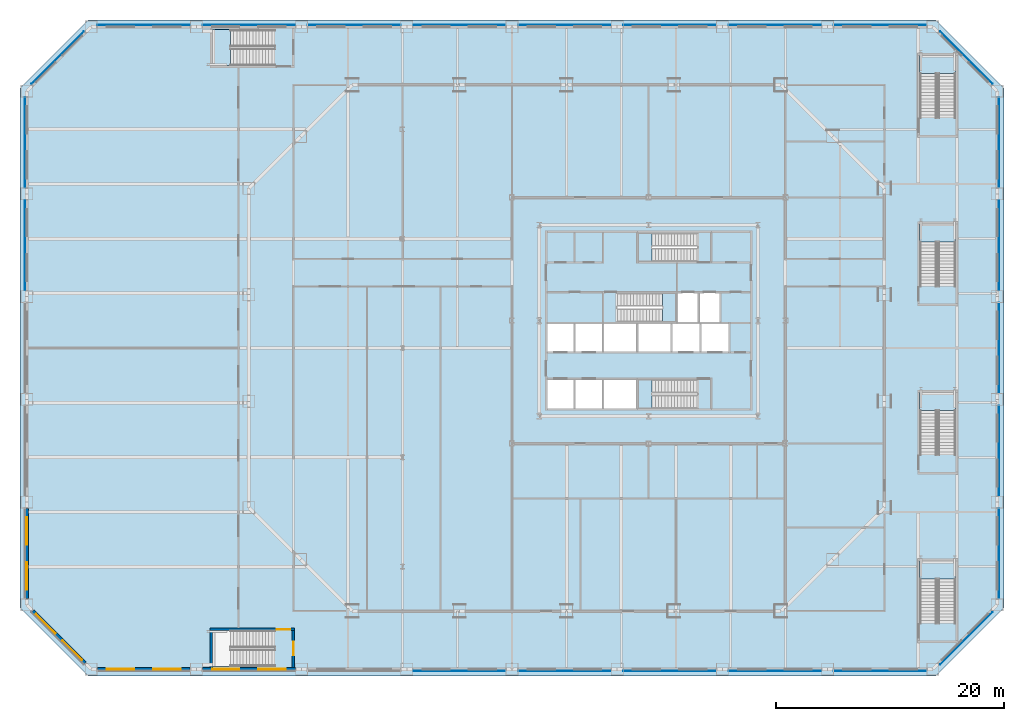
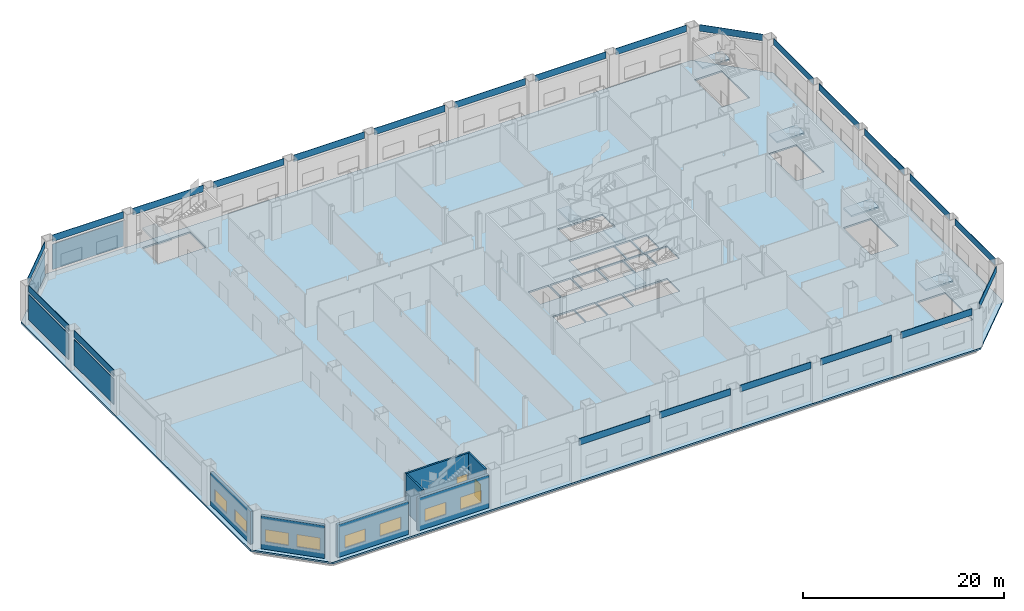
# One storey, part 11 of 26: 27 plates, 9 slabs, 8 windows, 7 walls, 2 doors, 10 openings, 8 elements without a shape of their own.
"""IFC4 building model written with IfcOpenShell, lengths in metres."""

from ifc_helpers import new_model, si_unit, direction, frame, frame_2d, origin, origin_2d, place, context, subcontext, project, spatial, polyline, rectangle, outline, extrude, material, layer, layer_set, type_object, element, fill, aggregate, save


model = new_model("IFC4")

# Units and contexts
model_context = context("Model", 3, precision=1e-05, world=origin(), true_north=direction((0.0, 1.0)))
body_context = subcontext(model_context, "Body", "Model", "MODEL_VIEW")
ifc_project = project(units=[si_unit("LENGTHUNIT", "METRE"), si_unit("AREAUNIT", "SQUARE_METRE"), si_unit("VOLUMEUNIT", "CUBIC_METRE"), si_unit("PLANEANGLEUNIT", "RADIAN"), si_unit("MASSUNIT", "GRAM", prefix="KILO")], contexts=[model_context])

# Site, building, storey
site_placement = place(None, origin())
site = spatial("IfcSite", under=ifc_project, at=site_placement, CompositionType="ELEMENT")
building_placement = place(site_placement, origin())
building = spatial("IfcBuilding", under=site, at=building_placement, Name="Cairn Pilgrim Tower", CompositionType="ELEMENT")
storey_placement = place(building_placement, frame((0.0, 0.0, 25.800048828125)))
storey = spatial("IfcBuildingStorey", under=building, at=storey_placement, Name="L04", CompositionType="ELEMENT", Elevation=25.800048828125)

# Plates
ifc_material_1 = material(Name="Bronze anodised aluminium", Category="aluminium")
ifc_layer_1 = layer(ifc_material_1, 0.050048828125)
ifc_layer_set_1 = layer_set([ifc_layer_1], Name="BRONZE FASCIA PANEL 50")
plate_type_1 = type_object("IfcPlateType", Name="BRONZE FASCIA PANEL 50", PredefinedType="SHEET", material=ifc_layer_set_1)
for number, where, z_axis, x_axis, name in (
    (1, (-9.4189453125, -28.375, 4.0), (0.0, 0.0, 1.0), (1.0, 0.0, 0.0), "FASCIA"),
    (2, (-0.18115234375, -28.375, 4.0), (0.0, 0.0, 1.0), (1.0, 0.0, 0.0), "FASCIA"),
    (3, (9.056884765625, -28.375, 4.0), (0.0, 0.0, 1.0), (1.0, 0.0, 0.0), "FASCIA"),
    (4, (18.294677734375, -28.375, 4.0), (0.0, 0.0, 1.0), (1.0, 0.0, 0.0), "FASCIA"),
    (5, (27.532470703125, -28.375, 4.0), (0.0, 0.0, 1.0), (1.0, 0.0, 0.0), "FASCIA"),
):
    element("IfcPlate", number, at=place(storey_placement, frame(where, z_axis=z_axis, x_axis=x_axis)), inside=storey, type_object=plate_type_1, Name=name, PredefinedType="SHEET", context=body_context, shape_type="SweptSolid", body=[
        extrude(rectangle(XDim=8.137939453125, YDim=0.050048828125, at=origin_2d()), origin(), (0.0, 0.0, 1.0), 0.800048828125),
    ])
plate_1_placement = place(storey_placement, frame((35.099609375, -25.49951171875, 4.0), z_axis=(0.0, 0.0, 1.0), x_axis=(0.707106781187, 0.707106781187, 0.0)))
element("IfcPlate", 6, at=plate_1_placement, inside=storey, type_object=plate_type_1, Name="FASCIA", PredefinedType="SHEET", context=body_context, shape_type="SweptSolid", body=[
    extrude(rectangle(XDim=6.50830078125, YDim=0.050048828125, at=origin_2d()), origin(), (0.0, 0.0, 1.0), 0.800048828125),
])
for number, where, z_axis, x_axis, name in (
    (7, (37.97509765625, -18.041259765625, 4.0), (0.0, 0.0, 1.0), (0.0, 1.0, 0.0), "FASCIA"),
    (8, (37.97509765625, -9.0205078125, 4.0), (0.0, 0.0, 1.0), (0.0, 1.0, 0.0), "FASCIA"),
    (9, (37.97509765625, 0.0, 4.0), (0.0, 0.0, 1.0), (0.0, 1.0, 0.0), "FASCIA"),
    (10, (37.97509765625, 9.0205078125, 4.0), (0.0, 0.0, 1.0), (0.0, 1.0, 0.0), "FASCIA"),
    (11, (37.97509765625, 18.041259765625, 4.0), (0.0, 0.0, 1.0), (0.0, 1.0, 0.0), "FASCIA"),
):
    element("IfcPlate", number, at=place(storey_placement, frame(where, z_axis=z_axis, x_axis=x_axis)), inside=storey, type_object=plate_type_1, Name=name, PredefinedType="SHEET", context=body_context, shape_type="SweptSolid", body=[
        extrude(rectangle(XDim=7.920654296875, YDim=0.050048828125, at=origin_2d()), origin(), (0.0, 0.0, 1.0), 0.800048828125),
    ])
plate_2_placement = place(storey_placement, frame((35.099609375, 25.49951171875, 4.0), z_axis=(0.0, 0.0, 1.0), x_axis=(-0.707106781187, 0.707106781187, 0.0)))
element("IfcPlate", 12, at=plate_2_placement, inside=storey, type_object=plate_type_1, Name="FASCIA", PredefinedType="SHEET", context=body_context, shape_type="SweptSolid", body=[
    extrude(rectangle(XDim=6.50830078125, YDim=0.050048828125, at=origin_2d()), origin(), (0.0, 0.0, 1.0), 0.800048828125),
])
for number, where, z_axis, x_axis, name in (
    (13, (27.532470703125, 28.375, 4.0), (0.0, 0.0, 1.0), (-1.0, 0.0, 0.0), "FASCIA"),
    (14, (18.294677734375, 28.375, 4.0), (0.0, 0.0, 1.0), (-1.0, 0.0, 0.0), "FASCIA"),
    (15, (9.056884765625, 28.375, 4.0), (0.0, 0.0, 1.0), (-1.0, 0.0, 0.0), "FASCIA"),
    (16, (-0.18115234375, 28.375, 4.0), (0.0, 0.0, 1.0), (-1.0, 0.0, 0.0), "FASCIA"),
    (17, (-9.4189453125, 28.375, 4.0), (0.0, 0.0, 1.0), (-1.0, 0.0, 0.0), "FASCIA"),
    (18, (-18.65673828125, 28.375, 4.0), (0.0, 0.0, 1.0), (-1.0, 0.0, 0.0), "FASCIA"),
    (19, (-27.894775390625, 28.375, 4.0), (0.0, 0.0, 1.0), (-1.0, 0.0, 0.0), "FASCIA"),
    (20, (-37.132568359375, 28.375, 4.0), (0.0, 0.0, 1.0), (-1.0, 0.0, 0.0), "FASCIA"),
):
    element("IfcPlate", number, at=place(storey_placement, frame(where, z_axis=z_axis, x_axis=x_axis)), inside=storey, type_object=plate_type_1, Name=name, PredefinedType="SHEET", context=body_context, shape_type="SweptSolid", body=[
        extrude(rectangle(XDim=8.137939453125, YDim=0.050048828125, at=origin_2d()), origin(), (0.0, 0.0, 1.0), 0.800048828125),
    ])
plate_3_placement = place(storey_placement, frame((-44.699462890625, 25.49951171875, 4.0), z_axis=(0.0, 0.0, 1.0), x_axis=(-0.707106781187, -0.707106781187, 0.0)))
element("IfcPlate", 21, at=plate_3_placement, inside=storey, type_object=plate_type_1, Name="FASCIA", PredefinedType="SHEET", context=body_context, shape_type="SweptSolid", body=[
    extrude(rectangle(XDim=6.50830078125, YDim=0.050048828125, at=origin_2d()), origin(), (0.0, 0.0, 1.0), 0.800048828125),
])
for number, where, z_axis, x_axis, name in (
    (22, (-47.574951171875, 18.041259765625, 4.0), (0.0, 0.0, 1.0), (0.0, -1.0, 0.0), "FASCIA"),
    (23, (-47.574951171875, 9.0205078125, 4.0), (0.0, 0.0, 1.0), (0.0, -1.0, 0.0), "FASCIA"),
):
    element("IfcPlate", number, at=place(storey_placement, frame(where, z_axis=z_axis, x_axis=x_axis)), inside=storey, type_object=plate_type_1, Name=name, PredefinedType="SHEET", context=body_context, shape_type="SweptSolid", body=[
        extrude(rectangle(XDim=7.920654296875, YDim=0.050048828125, at=origin_2d()), origin(), (0.0, 0.0, 1.0), 0.800048828125),
    ])
ifc_material_2 = material(Name="Perforated bronze anodised aluminium", Category="aluminium")
ifc_layer_2 = layer(ifc_material_2, 0.050048828125)
ifc_layer_set_2 = layer_set([ifc_layer_2], Name="COBOGO SCREEN 50 BRONZE")
plate_type_2 = type_object("IfcPlateType", Name="COBOGO SCREEN 50 BRONZE", PredefinedType="SHEET", material=ifc_layer_set_2)
plate_4_placement = place(storey_placement, frame((-37.132568359375, 28.375, 0.599853515625), z_axis=(0.0, 0.0, 1.0), x_axis=(-1.0, 0.0, 0.0)))
element("IfcPlate", 24, at=plate_4_placement, inside=storey, type_object=plate_type_2, Name="SCREEN", PredefinedType="SHEET", context=body_context, shape_type="SweptSolid", body=[
    extrude(rectangle(XDim=8.137939453125, YDim=0.050048828125, at=origin_2d()), origin(), (0.0, 0.0, 1.0), 3.10009765625),
])
plate_5_placement = place(storey_placement, frame((-44.699462890625, 25.49951171875, 0.599853515625), z_axis=(0.0, 0.0, 1.0), x_axis=(-0.707106781187, -0.707106781187, 0.0)))
element("IfcPlate", 25, at=plate_5_placement, inside=storey, type_object=plate_type_2, Name="SCREEN", PredefinedType="SHEET", context=body_context, shape_type="SweptSolid", body=[
    extrude(rectangle(XDim=6.50830078125, YDim=0.050048828125, at=origin_2d()), origin(), (0.0, 0.0, 1.0), 3.10009765625),
])
for number, where, z_axis, x_axis, name in (
    (26, (-47.574951171875, 18.041259765625, 0.599853515625), (0.0, 0.0, 1.0), (0.0, -1.0, 0.0), "SCREEN"),
    (27, (-47.574951171875, 9.0205078125, 0.599853515625), (0.0, 0.0, 1.0), (0.0, -1.0, 0.0), "SCREEN"),
):
    element("IfcPlate", number, at=place(storey_placement, frame(where, z_axis=z_axis, x_axis=x_axis)), inside=storey, type_object=plate_type_2, Name=name, PredefinedType="SHEET", context=body_context, shape_type="SweptSolid", body=[
        extrude(rectangle(XDim=7.920654296875, YDim=0.050048828125, at=origin_2d()), origin(), (0.0, 0.0, 1.0), 3.10009765625),
    ])

# Slab
ifc_material_3 = material(Name="Concrete C35/45", Category="concrete")
ifc_layer_3 = layer(ifc_material_3, 0.199951171875)
ifc_layer_set_3 = layer_set([ifc_layer_3], Name="PODIUM COMPOSITE SLAB 200")
slab_type_1 = type_object("IfcSlabType", Name="PODIUM COMPOSITE SLAB 200", PredefinedType="FLOOR", material=ifc_layer_set_3)
slab_1_placement = place(storey_placement, frame((0.0, 0.0, -0.199951171875)))
element("IfcSlab", 28, at=slab_1_placement, inside=storey, type_object=slab_type_1, Name="PODIUM FLOOR SLAB L04", PredefinedType="FLOOR", context=body_context, shape_type="SweptSolid", body=[
    extrude(outline(polyline([(-42.0, 28.800048828125), (-48.0, 22.800048828125), (-48.0, -22.800048828125), (-42.0, -28.800048828125), (32.39990234375, -28.800048828125), (38.39990234375, -22.800048828125), (38.39990234375, 22.800048828125), (32.39990234375, 28.800048828125), (-42.0, 28.800048828125)]), holes=[polyline([(-1.72509765625, -2.77490234375), (0.625, -2.77490234375), (0.625, -5.300048828125), (-1.72509765625, -5.300048828125), (-1.72509765625, -2.77490234375)]), polyline([(3.125, -2.77490234375), (3.125, -5.300048828125), (0.77490234375, -5.300048828125), (0.77490234375, -2.77490234375), (3.125, -2.77490234375)]), polyline([(0.625, -0.324951171875), (-1.72509765625, -0.324951171875), (-1.72509765625, 2.125), (0.625, 2.125), (0.625, -0.324951171875)]), polyline([(0.77490234375, -0.324951171875), (0.77490234375, 2.125), (3.125, 2.125), (3.125, -0.324951171875), (0.77490234375, -0.324951171875)]), polyline([(3.27490234375, -2.77490234375), (6.125, -2.77490234375), (6.125, -5.300048828125), (3.27490234375, -5.300048828125), (3.27490234375, -2.77490234375)]), polyline([(6.125, 2.125), (6.125, -0.324951171875), (3.27490234375, -0.324951171875), (3.27490234375, 2.125), (6.125, 2.125)]), polyline([(9.125, -0.324951171875), (6.27490234375, -0.324951171875), (6.27490234375, 2.125), (9.125, 2.125), (9.125, -0.324951171875)]), polyline([(9.27490234375, -0.324951171875), (9.27490234375, 2.125), (11.675048828125, 2.125), (11.675048828125, -0.324951171875), (9.27490234375, -0.324951171875)]), polyline([(11.824951171875, 2.125), (14.22509765625, 2.125), (14.22509765625, -0.324951171875), (11.824951171875, -0.324951171875), (11.824951171875, 2.125)]), polyline([(11.52490234375, 4.824951171875), (11.52490234375, 2.27490234375), (9.77490234375, 2.27490234375), (9.77490234375, 4.824951171875), (11.52490234375, 4.824951171875)]), polyline([(13.425048828125, 2.27490234375), (11.675048828125, 2.27490234375), (11.675048828125, 4.824951171875), (13.425048828125, 4.824951171875), (13.425048828125, 2.27490234375)]), polyline([(11.424560546875, -2.77490234375), (11.424560546875, -5.300048828125), (6.27490234375, -5.300048828125), (6.27490234375, -2.77490234375), (11.424560546875, -2.77490234375)]), polyline([(4.4755859375, 4.824951171875), (9.625, 4.824951171875), (9.625, 2.27490234375), (4.4755859375, 2.27490234375), (4.4755859375, 4.824951171875)]), polyline([(6.27490234375, 7.574951171875), (6.27490234375, 10.10009765625), (11.424560546875, 10.10009765625), (11.424560546875, 7.574951171875), (6.27490234375, 7.574951171875)]), polyline([(-31.10009765625, 27.949951171875), (-25.650390625, 27.949951171875), (-25.650390625, 24.800048828125), (-31.10009765625, 24.800048828125), (-31.10009765625, 27.949951171875)]), polyline([(-25.650390625, -24.800048828125), (-25.650390625, -27.949951171875), (-31.10009765625, -27.949951171875), (-31.10009765625, -24.800048828125), (-25.650390625, -24.800048828125)]), polyline([(31.0, -24.1494140625), (31.0, -18.699951171875), (34.14990234375, -18.699951171875), (34.14990234375, -24.1494140625), (31.0, -24.1494140625)]), polyline([(31.0, -3.89990234375), (34.14990234375, -3.89990234375), (34.14990234375, -9.349609375), (31.0, -9.349609375), (31.0, -3.89990234375)]), polyline([(34.14990234375, 10.89990234375), (34.14990234375, 5.450439453125), (31.0, 5.450439453125), (31.0, 10.89990234375), (34.14990234375, 10.89990234375)]), polyline([(34.14990234375, 20.25048828125), (31.0, 20.25048828125), (31.0, 25.699951171875), (34.14990234375, 25.699951171875), (34.14990234375, 20.25048828125)])]), origin(), (0.0, 0.0, 1.0), 0.199951171875),
])

# Stair, slab
stair_type_1 = type_object("IfcStairType", Name="PODIUM EXIT STAIR 1500", PredefinedType="HALF_TURN_STAIR", material=ifc_material_3)
stair_1_placement = place(storey_placement, origin())
stair_1 = element("IfcStair", 29, at=stair_1_placement, inside=storey, type_object=stair_type_1, Name="L04 Exit Stair Hn", PredefinedType="HALF_TURN_STAIR")
ifc_layer_4 = layer(ifc_material_3, 0.199951171875)
ifc_layer_set_4 = layer_set([ifc_layer_4], Name="PODIUM STAIR LANDING 200")
slab_type_2 = type_object("IfcSlabType", Name="PODIUM STAIR LANDING 200", PredefinedType="LANDING", material=ifc_layer_set_4)
slab_2_placement = place(storey_placement, frame((0.0, 0.0, 2.199951171875)))
slab_2 = element("IfcSlab", 30, at=slab_2_placement, type_object=slab_type_2, Name="ST-HN landing 1", PredefinedType="LANDING", context=body_context, shape_type="SweptSolid", body=[
    extrude(outline(polyline([(-29.52001953125, 27.949951171875), (-31.10009765625, 27.949951171875), (-31.10009765625, 24.800048828125), (-29.52001953125, 24.800048828125), (-29.52001953125, 27.949951171875)])), origin(), (0.0, 0.0, 1.0), 0.199951171875),
])
aggregate(stair_1, [slab_2])

stair_2_placement = place(storey_placement, origin())
stair_2 = element("IfcStair", 31, at=stair_2_placement, inside=storey, type_object=stair_type_1, Name="L04 Exit Stair Es1", PredefinedType="HALF_TURN_STAIR")
slab_3_placement = place(storey_placement, frame((0.0, 0.0, 2.199951171875)))
slab_3 = element("IfcSlab", 32, at=slab_3_placement, type_object=slab_type_2, Name="ST-ES1 landing 1", PredefinedType="LANDING", context=body_context, shape_type="SweptSolid", body=[
    extrude(outline(polyline([(34.14990234375, -20.280029296875), (34.14990234375, -18.699951171875), (31.0, -18.699951171875), (31.0, -20.280029296875), (34.14990234375, -20.280029296875)])), origin(), (0.0, 0.0, 1.0), 0.199951171875),
])
aggregate(stair_2, [slab_3])

stair_3_placement = place(storey_placement, origin())
stair_3 = element("IfcStair", 33, at=stair_3_placement, inside=storey, type_object=stair_type_1, Name="L04 Exit Stair Es2", PredefinedType="HALF_TURN_STAIR")
slab_4_placement = place(storey_placement, frame((0.0, 0.0, 2.199951171875)))
slab_4 = element("IfcSlab", 34, at=slab_4_placement, type_object=slab_type_2, Name="ST-ES2 landing 1", PredefinedType="LANDING", context=body_context, shape_type="SweptSolid", body=[
    extrude(outline(polyline([(34.14990234375, -5.47998046875), (34.14990234375, -3.89990234375), (31.0, -3.89990234375), (31.0, -5.47998046875), (34.14990234375, -5.47998046875)])), origin(), (0.0, 0.0, 1.0), 0.199951171875),
])
aggregate(stair_3, [slab_4])

stair_4_placement = place(storey_placement, origin())
stair_4 = element("IfcStair", 35, at=stair_4_placement, inside=storey, type_object=stair_type_1, Name="L04 Exit Stair Es3", PredefinedType="HALF_TURN_STAIR")
slab_5_placement = place(storey_placement, frame((0.0, 0.0, 2.199951171875)))
slab_5 = element("IfcSlab", 36, at=slab_5_placement, type_object=slab_type_2, Name="ST-ES3 landing 1", PredefinedType="LANDING", context=body_context, shape_type="SweptSolid", body=[
    extrude(outline(polyline([(34.14990234375, 9.320068359375), (34.14990234375, 10.89990234375), (31.0, 10.89990234375), (31.0, 9.320068359375), (34.14990234375, 9.320068359375)])), origin(), (0.0, 0.0, 1.0), 0.199951171875),
])
aggregate(stair_4, [slab_5])

stair_5_placement = place(storey_placement, origin())
stair_5 = element("IfcStair", 37, at=stair_5_placement, inside=storey, type_object=stair_type_1, Name="L04 Exit Stair Es4", PredefinedType="HALF_TURN_STAIR")
slab_6_placement = place(storey_placement, frame((0.0, 0.0, 2.199951171875)))
slab_6 = element("IfcSlab", 38, at=slab_6_placement, type_object=slab_type_2, Name="ST-ES4 landing 1", PredefinedType="LANDING", context=body_context, shape_type="SweptSolid", body=[
    extrude(outline(polyline([(34.14990234375, 24.1201171875), (34.14990234375, 25.699951171875), (31.0, 25.699951171875), (31.0, 24.1201171875), (34.14990234375, 24.1201171875)])), origin(), (0.0, 0.0, 1.0), 0.199951171875),
])
aggregate(stair_5, [slab_6])

ifc_material_4 = material(Name="Concrete C32/40", Category="concrete")
stair_type_2 = type_object("IfcStairType", Name="EXIT STAIR 1200", PredefinedType="HALF_TURN_STAIR", material=ifc_material_4)
stair_6_placement = place(storey_placement, origin())
stair_6 = element("IfcStair", 39, at=stair_6_placement, inside=storey, type_object=stair_type_2, Name="L04 Exit Stair A", PredefinedType="HALF_TURN_STAIR")
ifc_layer_5 = layer(ifc_material_4, 0.199951171875)
ifc_layer_set_5 = layer_set([ifc_layer_5], Name="STAIR LANDING 200")
slab_type_3 = type_object("IfcSlabType", Name="STAIR LANDING 200", PredefinedType="LANDING", material=ifc_layer_set_5)
slab_7_placement = place(storey_placement, frame((0.0, 0.0, 2.199951171875)))
slab_7 = element("IfcSlab", 40, at=slab_7_placement, type_object=slab_type_3, Name="ST-A landing 1", PredefinedType="LANDING", context=body_context, shape_type="SweptSolid", body=[
    extrude(outline(polyline([(7.5048828125, -2.77490234375), (6.27490234375, -2.77490234375), (6.27490234375, -5.300048828125), (7.5048828125, -5.300048828125), (7.5048828125, -2.77490234375)])), origin(), (0.0, 0.0, 1.0), 0.199951171875),
])
aggregate(stair_6, [slab_7])

stair_7_placement = place(storey_placement, origin())
stair_7 = element("IfcStair", 41, at=stair_7_placement, inside=storey, type_object=stair_type_2, Name="L04 Exit Stair B", PredefinedType="HALF_TURN_STAIR")
slab_8_placement = place(storey_placement, frame((0.0, 0.0, 2.199951171875)))
slab_8 = element("IfcSlab", 42, at=slab_8_placement, type_object=slab_type_3, Name="ST-B landing 1", PredefinedType="LANDING", context=body_context, shape_type="SweptSolid", body=[
    extrude(outline(polyline([(8.39501953125, 2.27490234375), (9.625, 2.27490234375), (9.625, 4.824951171875), (8.39501953125, 4.824951171875), (8.39501953125, 2.27490234375)])), origin(), (0.0, 0.0, 1.0), 0.199951171875),
])
aggregate(stair_7, [slab_8])

stair_8_placement = place(storey_placement, origin())
stair_8 = element("IfcStair", 43, at=stair_8_placement, inside=storey, type_object=stair_type_2, Name="L04 Exit Stair C", PredefinedType="HALF_TURN_STAIR")
slab_9_placement = place(storey_placement, frame((0.0, 0.0, 2.199951171875)))
slab_9 = element("IfcSlab", 44, at=slab_9_placement, type_object=slab_type_3, Name="ST-C landing 1", PredefinedType="LANDING", context=body_context, shape_type="SweptSolid", body=[
    extrude(outline(polyline([(7.5048828125, 10.10009765625), (6.27490234375, 10.10009765625), (6.27490234375, 7.574951171875), (7.5048828125, 7.574951171875), (7.5048828125, 10.10009765625)])), origin(), (0.0, 0.0, 1.0), 0.199951171875),
])
aggregate(stair_8, [slab_9])

# Wall
ifc_layer_6 = layer(ifc_material_3, 0.199951171875)
ifc_layer_set_6 = layer_set([ifc_layer_6], Name="PODIUM STAIR WALL 200 EI 120")
wall_type_1 = type_object("IfcWallType", Name="PODIUM STAIR WALL 200 EI 120", PredefinedType="SOLIDWALL", material=ifc_layer_set_6)
wall_1_placement = place(storey_placement, frame((-31.199951171875, -28.050048828125, 0.0), z_axis=(0.0, 0.0, 1.0), x_axis=(0.0, 1.0, 0.0)))
element("IfcWall", 45, at=wall_1_placement, inside=storey, type_object=wall_type_1, Name="STAIR SHAFT WALL W001", PredefinedType="SOLIDWALL", context=body_context, shape_type="SweptSolid", body=[
    extrude(rectangle(XDim=3.25, YDim=0.199951171875, at=frame_2d((1.625, 0.0))), origin(), (0.0, 0.0, 1.0), 4.599853515625),
])

# Wall, opening, door
wall_2_placement = place(storey_placement, frame((-24.0, -28.050048828125, 0.0), z_axis=(0.0, 0.0, 1.0), x_axis=(0.0, 1.0, 0.0)))
wall_2 = element("IfcWall", 46, at=wall_2_placement, inside=storey, type_object=wall_type_1, Name="STAIR SHAFT WALL W002", PredefinedType="SOLIDWALL", context=body_context, shape_type="SweptSolid", body=[
    extrude(rectangle(XDim=3.25, YDim=0.199951171875, at=frame_2d((1.625, 0.0))), origin(), (0.0, 0.0, 1.0), 4.599853515625),
])
opening_1_placement = place(wall_2_placement, frame((1.050048828125, 0.0, 0.0)))
opening_1 = element("IfcOpeningElement", 47, at=opening_1_placement, cuts=wall_2, Name="Opening 0423", PredefinedType="OPENING", context=body_context, shape_type="SweptSolid", body=[
    extrude(rectangle(XDim=1.199951171875, YDim=2.10009765625, at=frame_2d((0.60009765625, 1.050048828125))), frame((0.0, 0.10986328125, 0.0), z_axis=(0.0, -1.0, 0.0), x_axis=(1.0, 0.0, 0.0)), (0.0, 0.0, 1.0), 0.219970703125),
])
ifc_material_5 = material(Name="Steel-faced fire door leaf", Category="steel")
door_type = type_object("IfcDoorType", Name="FIRE DOOR 1200x2100 FD60S", OperationType="NOTDEFINED", PredefinedType="DOOR", material=ifc_material_5)
door_1_placement = place(opening_1_placement, origin())
door_1 = element("IfcDoor", 48, at=door_1_placement, inside=storey, type_object=door_type, Name="DOOR 0423", OperationType="SINGLE_SWING_LEFT", OverallHeight=2.10009765625, OverallWidth=1.199951171875, PredefinedType="DOOR", context=body_context, shape_type="SweptSolid", body=[
    extrude(rectangle(XDim=1.199951171875, YDim=2.10009765625, at=frame_2d((0.60009765625, 1.050048828125))), frame((0.0, 0.02490234375, 0.0), z_axis=(0.0, -1.0, 0.0), x_axis=(1.0, 0.0, 0.0)), (0.0, 0.0, 1.0), 0.050048828125),
])
fill(opening_1, door_1)

wall_3_placement = place(storey_placement, frame((-31.300048828125, -24.699951171875, 0.0), z_axis=(0.0, 0.0, 1.0), x_axis=(1.0, 0.0, 0.0)))
wall_3 = element("IfcWall", 49, at=wall_3_placement, inside=storey, type_object=wall_type_1, Name="STAIR SHAFT WALL W006", PredefinedType="SOLIDWALL", context=body_context, shape_type="SweptSolid", body=[
    extrude(rectangle(XDim=7.400146484375, YDim=0.199951171875, at=frame_2d((3.7001953125, 0.0))), origin(), (0.0, 0.0, 1.0), 4.599853515625),
])
opening_2_placement = place(wall_3_placement, frame((5.85009765625, 0.0, 0.0)))
opening_2 = element("IfcOpeningElement", 50, at=opening_2_placement, cuts=wall_3, Name="Opening 0422", PredefinedType="OPENING", context=body_context, shape_type="SweptSolid", body=[
    extrude(rectangle(XDim=1.199951171875, YDim=2.10009765625, at=frame_2d((0.60009765625, 1.050048828125))), frame((0.0, 0.10986328125, 0.0), z_axis=(0.0, -1.0, 0.0), x_axis=(1.0, 0.0, 0.0)), (0.0, 0.0, 1.0), 0.219970703125),
])
door_2_placement = place(opening_2_placement, frame((1.199951171875, 0.0, 0.0), z_axis=(0.0, 0.0, 1.0), x_axis=(-1.0, 0.0, 0.0)))
door_2 = element("IfcDoor", 51, at=door_2_placement, inside=storey, type_object=door_type, Name="DOOR 0422", OperationType="SINGLE_SWING_RIGHT", OverallHeight=2.10009765625, OverallWidth=1.199951171875, PredefinedType="DOOR", context=body_context, shape_type="SweptSolid", body=[
    extrude(rectangle(XDim=1.199951171875, YDim=2.10009765625, at=frame_2d((0.60009765625, 1.050048828125))), frame((0.0, 0.02490234375, 0.0), z_axis=(0.0, -1.0, 0.0), x_axis=(1.0, 0.0, 0.0)), (0.0, 0.0, 1.0), 0.050048828125),
])
fill(opening_2, door_2)

# Wall, openings, windows
ifc_material_6 = material(Name="Concrete C35/45 backup wall with bronze aluminium cladding", Category="concrete")
ifc_layer_7 = layer(ifc_material_6, 0.300048828125)
ifc_layer_set_7 = layer_set([ifc_layer_7], Name="PODIUM WALL 300 BRONZE-CLAD")
wall_type_2 = type_object("IfcWallType", Name="PODIUM WALL 300 BRONZE-CLAD", PredefinedType="SOLIDWALL", material=ifc_layer_set_7)
wall_4_placement = place(storey_placement, frame((-41.201416015625, -28.199951171875, 0.0), z_axis=(0.0, 0.0, 1.0), x_axis=(1.0, 0.0, 0.0)))
wall_4 = element("IfcWall", 52, at=wall_4_placement, inside=storey, type_object=wall_type_2, Name="PODIUM EXTERNAL WALL S1-S2", PredefinedType="SOLIDWALL", context=body_context, shape_type="SweptSolid", body=[
    extrude(rectangle(XDim=8.1376953125, YDim=0.300048828125, at=frame_2d((4.06884765625, 0.0))), origin(), (0.0, 0.0, 1.0), 4.0),
])
opening_3_placement = place(wall_4_placement, frame((0.83447265625, 0.0, 0.89990234375)))
opening_3 = element("IfcOpeningElement", 53, at=opening_3_placement, cuts=wall_4, Name="Opening PW15", PredefinedType="OPENING", context=body_context, shape_type="SweptSolid", body=[
    extrude(rectangle(XDim=2.39990234375, YDim=1.5, at=frame_2d((1.199951171875, 0.75))), frame((0.0, 0.16015625, 0.0), z_axis=(0.0, -1.0, 0.0), x_axis=(1.0, 0.0, 0.0)), (0.0, 0.0, 1.0), 0.320068359375),
])
opening_4_placement = place(wall_4_placement, frame((4.9033203125, 0.0, 0.89990234375)))
opening_4 = element("IfcOpeningElement", 54, at=opening_4_placement, cuts=wall_4, Name="Opening PW15", PredefinedType="OPENING", context=body_context, shape_type="SweptSolid", body=[
    extrude(rectangle(XDim=2.39990234375, YDim=1.5, at=frame_2d((1.199951171875, 0.75))), frame((0.0, 0.16015625, 0.0), z_axis=(0.0, -1.0, 0.0), x_axis=(1.0, 0.0, 0.0)), (0.0, 0.0, 1.0), 0.320068359375),
])
ifc_material_7 = material(Name="Bronze anodised aluminium frame with tinted low-E glass", Category="aluminium")
window_type = type_object("IfcWindowType", Name="PODIUM FIXED WINDOW 2400x1500", PartitioningType="SINGLE_PANEL", PredefinedType="WINDOW", material=ifc_material_7)
window_1_placement = place(opening_3_placement, origin())
window_1 = element("IfcWindow", 55, at=window_1_placement, inside=storey, type_object=window_type, Name="PODIUM WINDOW", OverallHeight=1.5, OverallWidth=2.39990234375, PartitioningType="SINGLE_PANEL", PredefinedType="WINDOW", context=body_context, shape_type="SweptSolid", body=[
    extrude(rectangle(XDim=2.39990234375, YDim=1.5, at=frame_2d((1.199951171875, 0.75))), frame((0.0, 0.030029296875, 0.0), z_axis=(0.0, -1.0, 0.0), x_axis=(1.0, 0.0, 0.0)), (0.0, 0.0, 1.0), 0.06005859375),
])
fill(opening_3, window_1)
window_2_placement = place(opening_4_placement, origin())
window_2 = element("IfcWindow", 56, at=window_2_placement, inside=storey, type_object=window_type, Name="PODIUM WINDOW", OverallHeight=1.5, OverallWidth=2.39990234375, PartitioningType="SINGLE_PANEL", PredefinedType="WINDOW", context=body_context, shape_type="SweptSolid", body=[
    extrude(rectangle(XDim=2.39990234375, YDim=1.5, at=frame_2d((1.199951171875, 0.75))), frame((0.0, 0.030029296875, 0.0), z_axis=(0.0, -1.0, 0.0), x_axis=(1.0, 0.0, 0.0)), (0.0, 0.0, 1.0), 0.06005859375),
])
fill(opening_4, window_2)

wall_5_placement = place(storey_placement, frame((-31.963623046875, -28.199951171875, 0.0), z_axis=(0.0, 0.0, 1.0), x_axis=(1.0, 0.0, 0.0)))
wall_5 = element("IfcWall", 57, at=wall_5_placement, inside=storey, type_object=wall_type_2, Name="PODIUM EXTERNAL WALL S2-S3", PredefinedType="SOLIDWALL", context=body_context, shape_type="SweptSolid", body=[
    extrude(rectangle(XDim=8.137939453125, YDim=0.300048828125, at=frame_2d((4.06884765625, 0.0))), origin(), (0.0, 0.0, 1.0), 4.0),
])
opening_5_placement = place(wall_5_placement, frame((0.83447265625, 0.0, 0.89990234375)))
opening_5 = element("IfcOpeningElement", 58, at=opening_5_placement, cuts=wall_5, Name="Opening PW15", PredefinedType="OPENING", context=body_context, shape_type="SweptSolid", body=[
    extrude(rectangle(XDim=2.39990234375, YDim=1.5, at=frame_2d((1.199951171875, 0.75))), frame((0.0, 0.16015625, 0.0), z_axis=(0.0, -1.0, 0.0), x_axis=(1.0, 0.0, 0.0)), (0.0, 0.0, 1.0), 0.320068359375),
])
opening_6_placement = place(wall_5_placement, frame((4.9033203125, 0.0, 0.89990234375)))
opening_6 = element("IfcOpeningElement", 59, at=opening_6_placement, cuts=wall_5, Name="Opening PW15", PredefinedType="OPENING", context=body_context, shape_type="SweptSolid", body=[
    extrude(rectangle(XDim=2.39990234375, YDim=1.5, at=frame_2d((1.199951171875, 0.75))), frame((0.0, 0.16015625, 0.0), z_axis=(0.0, -1.0, 0.0), x_axis=(1.0, 0.0, 0.0)), (0.0, 0.0, 1.0), 0.320068359375),
])
window_3_placement = place(opening_5_placement, origin())
window_3 = element("IfcWindow", 60, at=window_3_placement, inside=storey, type_object=window_type, Name="PODIUM WINDOW", OverallHeight=1.5, OverallWidth=2.39990234375, PartitioningType="SINGLE_PANEL", PredefinedType="WINDOW", context=body_context, shape_type="SweptSolid", body=[
    extrude(rectangle(XDim=2.39990234375, YDim=1.5, at=frame_2d((1.199951171875, 0.75))), frame((0.0, 0.030029296875, 0.0), z_axis=(0.0, -1.0, 0.0), x_axis=(1.0, 0.0, 0.0)), (0.0, 0.0, 1.0), 0.06005859375),
])
fill(opening_5, window_3)
window_4_placement = place(opening_6_placement, origin())
window_4 = element("IfcWindow", 61, at=window_4_placement, inside=storey, type_object=window_type, Name="PODIUM WINDOW", OverallHeight=1.5, OverallWidth=2.39990234375, PartitioningType="SINGLE_PANEL", PredefinedType="WINDOW", context=body_context, shape_type="SweptSolid", body=[
    extrude(rectangle(XDim=2.39990234375, YDim=1.5, at=frame_2d((1.199951171875, 0.75))), frame((0.0, 0.030029296875, 0.0), z_axis=(0.0, -1.0, 0.0), x_axis=(1.0, 0.0, 0.0)), (0.0, 0.0, 1.0), 0.06005859375),
])
fill(opening_6, window_4)

wall_6_placement = place(storey_placement, frame((-47.39990234375, -14.080810546875, 0.0), z_axis=(0.0, 0.0, 1.0), x_axis=(0.0, -1.0, 0.0)))
wall_6 = element("IfcWall", 62, at=wall_6_placement, inside=storey, type_object=wall_type_2, Name="PODIUM EXTERNAL WALL W5-SW1", PredefinedType="SOLIDWALL", context=body_context, shape_type="SweptSolid", body=[
    extrude(rectangle(XDim=7.920654296875, YDim=0.300048828125, at=frame_2d((3.96044921875, 0.0))), origin(), (0.0, 0.0, 1.0), 4.0),
])
opening_7_placement = place(wall_6_placement, frame((0.780029296875, 0.0, 0.89990234375)))
opening_7 = element("IfcOpeningElement", 63, at=opening_7_placement, cuts=wall_6, Name="Opening PW15", PredefinedType="OPENING", context=body_context, shape_type="SweptSolid", body=[
    extrude(rectangle(XDim=2.39990234375, YDim=1.5, at=frame_2d((1.199951171875, 0.75))), frame((0.0, 0.16015625, 0.0), z_axis=(0.0, -1.0, 0.0), x_axis=(1.0, 0.0, 0.0)), (0.0, 0.0, 1.0), 0.320068359375),
])
opening_8_placement = place(wall_6_placement, frame((4.740478515625, 0.0, 0.89990234375)))
opening_8 = element("IfcOpeningElement", 64, at=opening_8_placement, cuts=wall_6, Name="Opening PW15", PredefinedType="OPENING", context=body_context, shape_type="SweptSolid", body=[
    extrude(rectangle(XDim=2.39990234375, YDim=1.5, at=frame_2d((1.199951171875, 0.75))), frame((0.0, 0.16015625, 0.0), z_axis=(0.0, -1.0, 0.0), x_axis=(1.0, 0.0, 0.0)), (0.0, 0.0, 1.0), 0.320068359375),
])
window_5_placement = place(opening_7_placement, origin())
window_5 = element("IfcWindow", 65, at=window_5_placement, inside=storey, type_object=window_type, Name="PODIUM WINDOW", OverallHeight=1.5, OverallWidth=2.39990234375, PartitioningType="SINGLE_PANEL", PredefinedType="WINDOW", context=body_context, shape_type="SweptSolid", body=[
    extrude(rectangle(XDim=2.39990234375, YDim=1.5, at=frame_2d((1.199951171875, 0.75))), frame((0.0, 0.030029296875, 0.0), z_axis=(0.0, -1.0, 0.0), x_axis=(1.0, 0.0, 0.0)), (0.0, 0.0, 1.0), 0.06005859375),
])
fill(opening_7, window_5)
window_6_placement = place(opening_8_placement, origin())
window_6 = element("IfcWindow", 66, at=window_6_placement, inside=storey, type_object=window_type, Name="PODIUM WINDOW", OverallHeight=1.5, OverallWidth=2.39990234375, PartitioningType="SINGLE_PANEL", PredefinedType="WINDOW", context=body_context, shape_type="SweptSolid", body=[
    extrude(rectangle(XDim=2.39990234375, YDim=1.5, at=frame_2d((1.199951171875, 0.75))), frame((0.0, 0.030029296875, 0.0), z_axis=(0.0, -1.0, 0.0), x_axis=(1.0, 0.0, 0.0)), (0.0, 0.0, 1.0), 0.06005859375),
])
fill(opening_8, window_6)

wall_7_placement = place(storey_placement, frame((-46.876708984375, -23.07470703125, 0.0), z_axis=(0.0, 0.0, 1.0), x_axis=(0.707106781187, -0.707106781187, 0.0)))
wall_7 = element("IfcWall", 67, at=wall_7_placement, inside=storey, type_object=wall_type_2, Name="PODIUM EXTERNAL WALL SW1-S1", PredefinedType="SOLIDWALL", context=body_context, shape_type="SweptSolid", body=[
    extrude(rectangle(XDim=6.50830078125, YDim=0.300048828125, at=frame_2d((3.254150390625, 0.0))), origin(), (0.0, 0.0, 1.0), 4.0),
])
opening_9_placement = place(wall_7_placement, frame((0.427001953125, 0.0, 0.89990234375)))
opening_9 = element("IfcOpeningElement", 68, at=opening_9_placement, cuts=wall_7, Name="Opening PW15", PredefinedType="OPENING", context=body_context, shape_type="SweptSolid", body=[
    extrude(rectangle(XDim=2.39990234375, YDim=1.5, at=frame_2d((1.199951171875, 0.75))), frame((0.0, 0.16015625, 0.0), z_axis=(0.0, -1.0, 0.0), x_axis=(1.0, 0.0, 0.0)), (0.0, 0.0, 1.0), 0.320068359375),
])
opening_10_placement = place(wall_7_placement, frame((3.68115234375, 0.0, 0.89990234375)))
opening_10 = element("IfcOpeningElement", 69, at=opening_10_placement, cuts=wall_7, Name="Opening PW15", PredefinedType="OPENING", context=body_context, shape_type="SweptSolid", body=[
    extrude(rectangle(XDim=2.39990234375, YDim=1.5, at=frame_2d((1.199951171875, 0.75))), frame((0.0, 0.16015625, 0.0), z_axis=(0.0, -1.0, 0.0), x_axis=(1.0, 0.0, 0.0)), (0.0, 0.0, 1.0), 0.320068359375),
])
window_7_placement = place(opening_9_placement, origin())
window_7 = element("IfcWindow", 70, at=window_7_placement, inside=storey, type_object=window_type, Name="PODIUM WINDOW", OverallHeight=1.5, OverallWidth=2.39990234375, PartitioningType="SINGLE_PANEL", PredefinedType="WINDOW", context=body_context, shape_type="SweptSolid", body=[
    extrude(rectangle(XDim=2.39990234375, YDim=1.5, at=frame_2d((1.199951171875, 0.75))), frame((0.0, 0.030029296875, 0.0), z_axis=(0.0, -1.0, 0.0), x_axis=(1.0, 0.0, 0.0)), (0.0, 0.0, 1.0), 0.06005859375),
])
fill(opening_9, window_7)
window_8_placement = place(opening_10_placement, origin())
window_8 = element("IfcWindow", 71, at=window_8_placement, inside=storey, type_object=window_type, Name="PODIUM WINDOW", OverallHeight=1.5, OverallWidth=2.39990234375, PartitioningType="SINGLE_PANEL", PredefinedType="WINDOW", context=body_context, shape_type="SweptSolid", body=[
    extrude(rectangle(XDim=2.39990234375, YDim=1.5, at=frame_2d((1.199951171875, 0.75))), frame((0.0, 0.030029296875, 0.0), z_axis=(0.0, -1.0, 0.0), x_axis=(1.0, 0.0, 0.0)), (0.0, 0.0, 1.0), 0.06005859375),
])
fill(opening_10, window_8)

save(model, "model.ifc")
